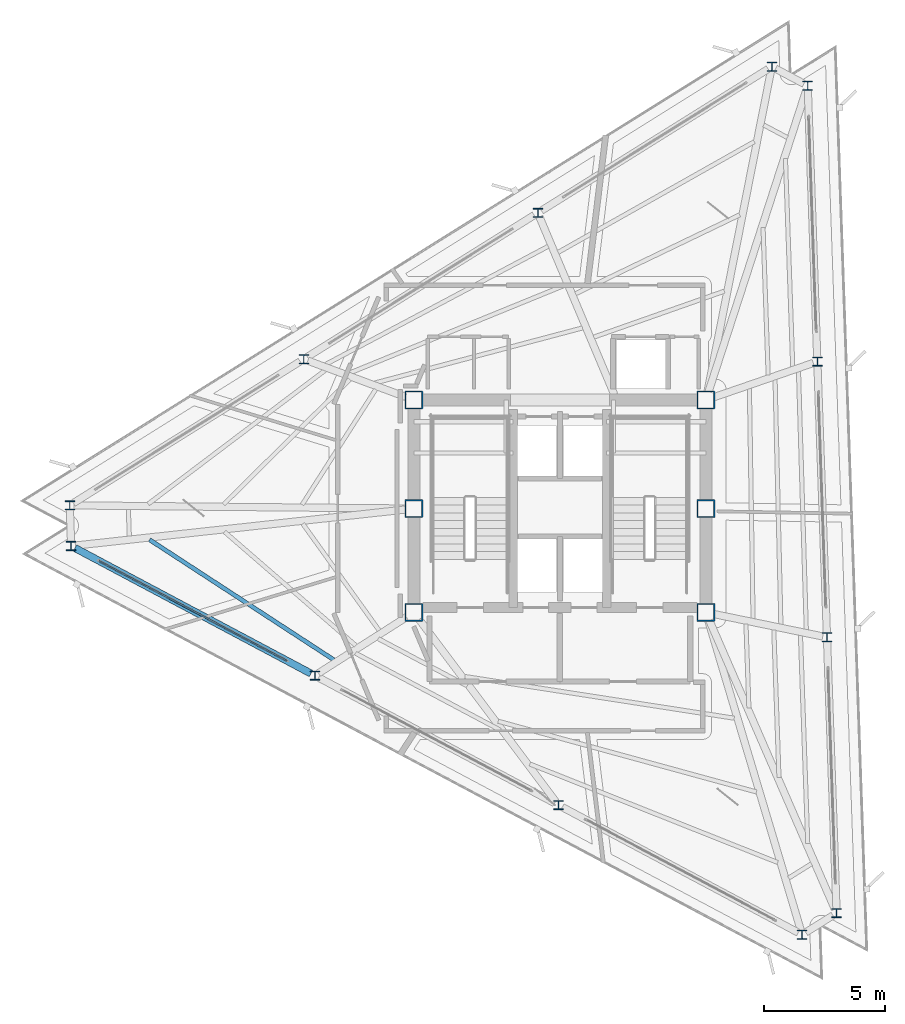
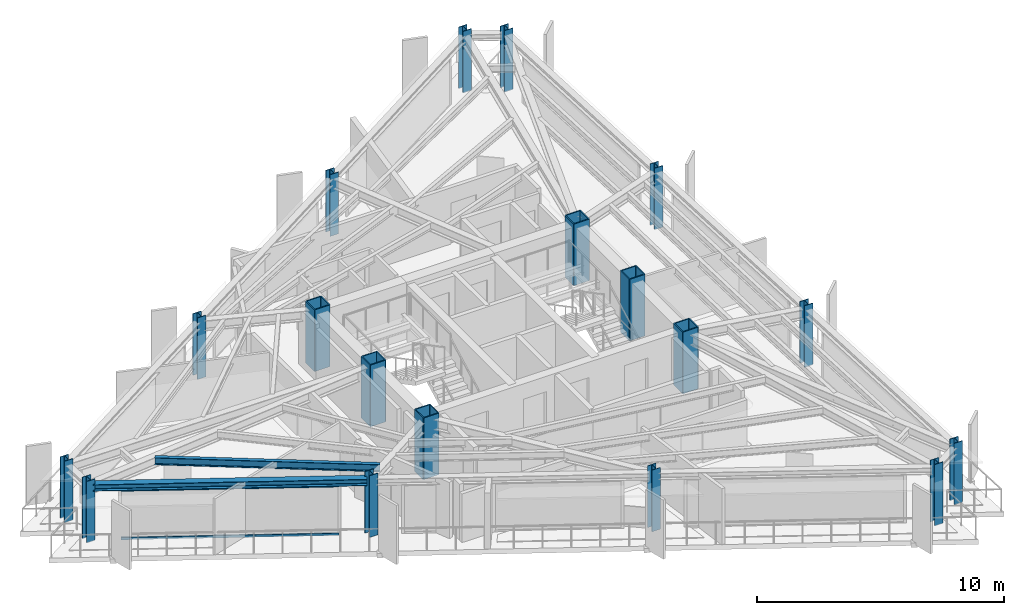
# One storey, part 1 of 13: 18 columns, 2 beams, 2 members, 1 element without a shape of its own.
"""IFC4 building model written with IfcOpenShell, lengths in metres."""

from ifc_helpers import new_model, si_unit, direction, frame, origin, origin_2d, place, context, subcontext, project, spatial, rectangle, hollow_rectangle, i_section, extrude, material, layer, layer_set, material_profile, profile_set, type_object, element, aggregate, save


model = new_model("IFC4")

# Units and contexts
model_context = context("Model", 3, precision=1e-05, world=origin(), true_north=direction((0.0, 1.0)))
body_context = subcontext(model_context, "Body", "Model", "MODEL_VIEW")
ifc_project = project(units=[si_unit("LENGTHUNIT", "METRE"), si_unit("AREAUNIT", "SQUARE_METRE"), si_unit("VOLUMEUNIT", "CUBIC_METRE"), si_unit("PLANEANGLEUNIT", "RADIAN"), si_unit("MASSUNIT", "GRAM", prefix="KILO")], contexts=[model_context])

# Site, building, storey
site_placement = place(None, origin())
site = spatial("IfcSite", under=ifc_project, at=site_placement, CompositionType="ELEMENT")
building_placement = place(site_placement, origin())
building = spatial("IfcBuilding", under=site, at=building_placement, Name="Rocaltana Carrier Exchange", CompositionType="ELEMENT")
storey_placement = place(building_placement, frame((0.0, 0.0, 208.800048828125)))
storey = spatial("IfcBuildingStorey", under=building, at=storey_placement, Name="L66", CompositionType="ELEMENT", Elevation=208.800048828125)

# Columns
ifc_material_1 = material(Name="Steel S460", Category="steel")
ifc_material_profile_1 = material_profile(ifc_material_1, hollow_rectangle(XDim=0.75, YDim=0.75, WallThickness=0.050048828125, InnerFilletRadius=0.02001953125, OuterFilletRadius=0.0400390625, at=origin_2d()), Name="BOX750X750X50")
ifc_profile_set_1 = profile_set([ifc_material_profile_1], Name="Steel S460")
column_type_1 = type_object("IfcColumnType", Name="Core Mega-Column BOX750", PredefinedType="COLUMN", material=ifc_profile_set_1)
for number, where, z_axis, x_axis, name in (
    (1, (-6.050048828125, 4.5, 0.0), (0.0, 0.0, 1.0), (1.0, 0.0, 0.0), "L66 Core Mega-Column MC1"),
    (2, (6.050048828125, 4.5, 0.0), (0.0, 0.0, 1.0), (1.0, 0.0, 0.0), "L66 Core Mega-Column MC2"),
    (3, (-6.050048828125, 0.0, 0.0), (0.0, 0.0, 1.0), (1.0, 0.0, 0.0), "L66 Core Mega-Column MC3"),
    (4, (6.050048828125, 0.0, 0.0), (0.0, 0.0, 1.0), (1.0, 0.0, 0.0), "L66 Core Mega-Column MC4"),
    (5, (-6.050048828125, -4.300048828125, 0.0), (0.0, 0.0, 1.0), (1.0, 0.0, 0.0), "L66 Core Mega-Column MC5"),
    (6, (6.050048828125, -4.300048828125, 0.0), (0.0, 0.0, 1.0), (1.0, 0.0, 0.0), "L66 Core Mega-Column MC6"),
):
    element("IfcColumn", number, at=place(storey_placement, frame(where, z_axis=z_axis, x_axis=x_axis)), inside=storey, type_object=column_type_1, Name=name, PredefinedType="COLUMN", context=body_context, shape_type="SweptSolid", body=[
        extrude(hollow_rectangle(XDim=0.75, YDim=0.75, WallThickness=0.050048828125, InnerFilletRadius=0.02001953125, OuterFilletRadius=0.0400390625, at=origin_2d()), origin(), (0.0, 0.0, 1.0), 3.0400390625),
    ])
ifc_material_2 = material(Name="Steel S355", Category="steel")
ifc_material_profile_2 = material_profile(ifc_material_2, i_section(OverallWidth=0.39404296875, OverallDepth=0.375, WebThickness=0.017333984375, FlangeThickness=0.027587890625, FilletRadius=0.01611328125, at=origin_2d()), Name="W14X145")
ifc_profile_set_2 = profile_set([ifc_material_profile_2], Name="Steel S355")
column_type_2 = type_object("IfcColumnType", Name="Perimeter Column W14X145", PredefinedType="COLUMN", material=ifc_profile_set_2)
for number, where, z_axis, x_axis, name in (
    (7, (11.46630859375, -16.760009765625, 0.0), (0.0, 0.0, 1.0), (1.0, 0.0, 0.0), "L66 Perimeter Column TC01"),
    (8, (11.067138671875, -5.333740234375, 0.0), (0.0, 0.0, 1.0), (1.0, 0.0, 0.0), "L66 Perimeter Column TC02"),
    (9, (10.668212890625, 6.0927734375, 0.0), (0.0, 0.0, 1.0), (1.0, 0.0, 0.0), "L66 Perimeter Column TC03"),
    (10, (10.269287109375, 17.51904296875, 0.0), (0.0, 0.0, 1.0), (1.0, 0.0, 0.0), "L66 Perimeter Column TC04"),
    (11, (8.781494140625, 18.31005859375, 0.0), (0.0, 0.0, 1.0), (1.0, 0.0, 0.0), "L66 Perimeter Column TC05"),
    (12, (-0.91455078125, 12.251220703125, 0.0), (0.0, 0.0, 1.0), (1.0, 0.0, 0.0), "L66 Perimeter Column TC06"),
    (13, (-10.610595703125, 6.192626953125, 0.0), (0.0, 0.0, 1.0), (1.0, 0.0, 0.0), "L66 Perimeter Column TC07"),
    (14, (-20.306640625, 0.1337890625, 0.0), (0.0, 0.0, 1.0), (1.0, 0.0, 0.0), "L66 Perimeter Column TC08"),
    (15, (-20.247802734375, -1.550048828125, 0.0), (0.0, 0.0, 1.0), (1.0, 0.0, 0.0), "L66 Perimeter Column TC09"),
    (16, (-10.152587890625, -6.917724609375, 0.0), (0.0, 0.0, 1.0), (1.0, 0.0, 0.0), "L66 Perimeter Column TC10"),
    (17, (-0.0576171875, -12.285400390625, 0.0), (0.0, 0.0, 1.0), (1.0, 0.0, 0.0), "L66 Perimeter Column TC11"),
    (18, (10.037353515625, -17.65283203125, 0.0), (0.0, 0.0, 1.0), (1.0, 0.0, 0.0), "L66 Perimeter Column TC12"),
):
    element("IfcColumn", number, at=place(storey_placement, frame(where, z_axis=z_axis, x_axis=x_axis)), inside=storey, type_object=column_type_2, Name=name, PredefinedType="COLUMN", context=body_context, shape_type="SweptSolid", body=[
        extrude(i_section(OverallWidth=0.39404296875, OverallDepth=0.375, WebThickness=0.017333984375, FlangeThickness=0.027587890625, FilletRadius=0.01611328125, at=origin_2d()), origin(), (0.0, 0.0, 1.0), 3.0400390625),
    ])

# Curtain wall, members
ifc_material_3 = material(Name="Aluminium 6063-T6", Category="aluminium")
ifc_layer = layer(ifc_material_3, 0.1201171875)
ifc_layer_set = layer_set([ifc_layer], Name="Aluminium 6063-T6")
curtain_wall_type = type_object("IfcCurtainWallType", Name="High-Altitude Thermal Curtain Wall CW-05", PredefinedType="NOTDEFINED", material=ifc_layer_set)
curtain_wall_placement = place(storey_placement, origin())
curtain_wall = element("IfcCurtainWall", 19, at=curtain_wall_placement, inside=storey, type_object=curtain_wall_type, Name="L66 CW-05 Run CW-L66-F3S1", PredefinedType="NOTDEFINED")
ifc_material_4 = material(Name="Aluminium 6063-T6", Category="aluminium")
ifc_material_profile_3 = material_profile(ifc_material_4, rectangle(XDim=0.06005859375, YDim=0.1201171875, at=origin_2d()), Name="AL-60X120")
ifc_profile_set_3 = profile_set([ifc_material_profile_3], Name="Aluminium 6063-T6")
member_type = type_object("IfcMemberType", Name="CW-05 Transom AL-60X120", PredefinedType="USERDEFINED", material=ifc_profile_set_3)
member_1_placement = place(storey_placement, frame((-19.091064453125, -2.1650390625, 0.030029296875), z_axis=(0.882944221824, -0.469477902726, 0.0), x_axis=(0.469477902726, 0.882944221824, 0.0)))
member_1 = element("IfcMember", 20, at=member_1_placement, type_object=member_type, Name="CW-05 transom 1.1", ObjectType="TRANSOM", PredefinedType="USERDEFINED", context=body_context, shape_type="SweptSolid", body=[
    extrude(rectangle(XDim=0.06005859375, YDim=0.1201171875, at=origin_2d()), origin(), (0.0, 0.0, 1.0), 8.8134765625),
])
member_2_placement = place(storey_placement, frame((-19.091064453125, -2.1650390625, 2.41796875), z_axis=(0.882944221824, -0.469477902726, 0.0), x_axis=(0.469477902726, 0.882944221824, 0.0)))
member_2 = element("IfcMember", 21, at=member_2_placement, type_object=member_type, Name="CW-05 transom 1.2", ObjectType="TRANSOM", PredefinedType="USERDEFINED", context=body_context, shape_type="SweptSolid", body=[
    extrude(rectangle(XDim=0.06005859375, YDim=0.1201171875, at=origin_2d()), origin(), (0.0, 0.0, 1.0), 8.8134765625),
])
aggregate(curtain_wall, [member_1, member_2])

# Beams
ifc_material_5 = material(Name="Steel S355", Category="steel")
ifc_material_profile_4 = material_profile(ifc_material_5, i_section(OverallWidth=0.172119140625, OverallDepth=0.35791015625, WebThickness=0.0078125, FlangeThickness=0.01318359375, FilletRadius=0.011962890625, at=origin_2d()), Name="W14X38")
ifc_profile_set_4 = profile_set([ifc_material_profile_4], Name="Steel S355")
beam_type_1 = type_object("IfcBeamType", Name="Floor Joist W14X38", PredefinedType="JOIST", material=ifc_profile_set_4)
beam_1_placement = place(storey_placement, frame((-17.003662109375, -1.28759765625, 2.618896484375), z_axis=(0.837735841747, -0.546075690223, 0.0), x_axis=(0.546075690223, 0.837735841747, 0.0)))
element("IfcBeam", 22, at=beam_1_placement, inside=storey, type_object=beam_type_1, Name="FJ-L66-09-3", PredefinedType="JOIST", context=body_context, shape_type="SweptSolid", body=[
    extrude(i_section(OverallWidth=0.172119140625, OverallDepth=0.35791015625, WebThickness=0.0078125, FlangeThickness=0.01318359375, FilletRadius=0.011962890625, at=origin_2d()), origin(), (0.0, 0.0, 1.0), 9.111572265625),
])
ifc_material_6 = material(Name="Steel S355", Category="steel")
ifc_material_profile_5 = material_profile(ifc_material_6, i_section(OverallWidth=0.300048828125, OverallDepth=0.320068359375, WebThickness=0.011474609375, FlangeThickness=0.0205078125, FilletRadius=0.027099609375, at=origin_2d()), Name="HEB320")
ifc_profile_set_5 = profile_set([ifc_material_profile_5], Name="Steel S355")
beam_type_2 = type_object("IfcBeamType", Name="Spandrel Edge Beam HEB320", PredefinedType="SPANDREL", material=ifc_profile_set_5)
beam_2_placement = place(storey_placement, frame((-20.08935546875, -1.63427734375, 2.637939453125), z_axis=(0.882942972946, -0.469480251476, 0.0), x_axis=(0.469480251476, 0.882942972946, 0.0)))
element("IfcBeam", 23, at=beam_2_placement, inside=storey, type_object=beam_type_2, Name="SP-L66-09", PredefinedType="SPANDREL", context=body_context, shape_type="SweptSolid", body=[
    extrude(i_section(OverallWidth=0.300048828125, OverallDepth=0.320068359375, WebThickness=0.011474609375, FlangeThickness=0.0205078125, FilletRadius=0.027099609375, at=origin_2d()), origin(), (0.0, 0.0, 1.0), 11.074462890625),
])

save(model, "model.ifc")
